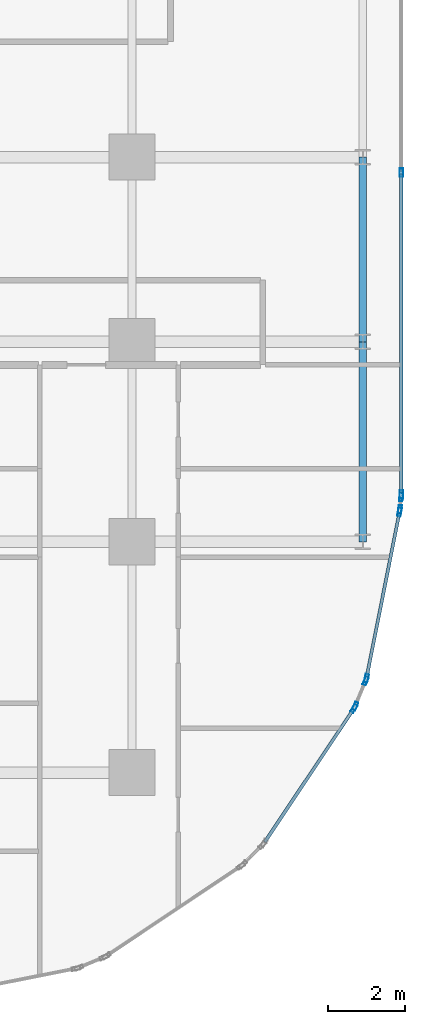
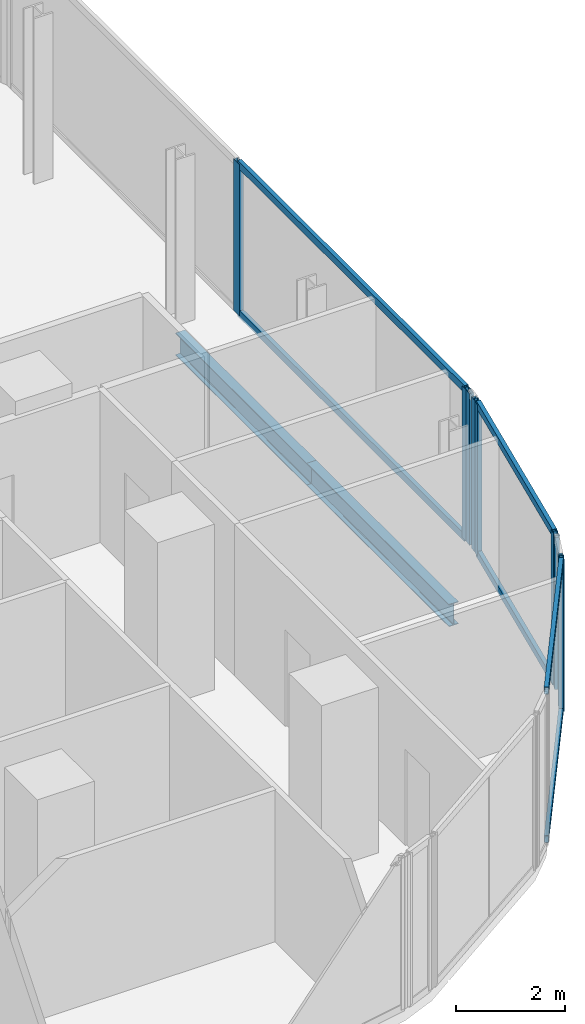
# One storey, part 18 of 33: 15 members, 2 beams, 5 elements without a shape of their own.
"""IFC4 building model written with IfcOpenShell, lengths in metres."""

from ifc_helpers import new_model, si_unit, direction, frame, origin, origin_2d, place, context, subcontext, project, spatial, hollow_rectangle, i_section, extrude, material, layer, layer_set, material_profile, profile_set, type_object, element, aggregate, save


model = new_model("IFC4")

# Units and contexts
model_context = context("Model", 3, precision=1e-05, world=origin(), true_north=direction((0.0, 1.0)))
body_context = subcontext(model_context, "Body", "Model", "MODEL_VIEW")
ifc_project = project(units=[si_unit("LENGTHUNIT", "METRE"), si_unit("AREAUNIT", "SQUARE_METRE"), si_unit("VOLUMEUNIT", "CUBIC_METRE"), si_unit("PLANEANGLEUNIT", "RADIAN"), si_unit("MASSUNIT", "GRAM", prefix="KILO")], contexts=[model_context])

# Site, building, storey
site_placement = place(None, origin())
site = spatial("IfcSite", under=ifc_project, at=site_placement, CompositionType="ELEMENT")
building_placement = place(site_placement, origin())
building = spatial("IfcBuilding", under=site, at=building_placement, Name="Keshet Zoharim Tower", CompositionType="ELEMENT")
storey_placement = place(building_placement, frame((0.0, 0.0, 73.800048828125)))
storey = spatial("IfcBuildingStorey", under=building, at=storey_placement, Name="L17", CompositionType="ELEMENT", Elevation=73.800048828125)

# Beams
ifc_material_1 = material(Name="Steel S355", Category="steel")
ifc_material_profile_1 = material_profile(ifc_material_1, i_section(OverallWidth=0.199951171875, OverallDepth=0.5, WebThickness=0.01025390625, FlangeThickness=0.01611328125, FilletRadius=0.02099609375, at=origin_2d()), Name="IPE500")
ifc_profile_set_1 = profile_set([ifc_material_profile_1], Name="Steel S355")
beam_type = type_object("IfcBeamType", Name="BM-PRI-IP500", PredefinedType="BEAM", material=ifc_profile_set_1)
beam_1_placement = place(storey_placement, frame((69.0, 12.699951171875, -0.56494140625), z_axis=(0.0, 1.0, 0.0), x_axis=(-1.0, 0.0, 0.0)))
element("IfcBeam", 1, at=beam_1_placement, inside=storey, type_object=beam_type, Name="L17 Primary Girder Y-023", PredefinedType="BEAM", context=body_context, shape_type="SweptSolid", body=[
    extrude(i_section(OverallWidth=0.199951171875, OverallDepth=0.5, WebThickness=0.01025390625, FlangeThickness=0.01611328125, FilletRadius=0.02099609375, at=origin_2d()), origin(), (0.0, 0.0, 1.0), 5.199951171875),
])
beam_2_placement = place(storey_placement, frame((69.0, 17.89990234375, -0.56494140625), z_axis=(0.0, 1.0, 0.0), x_axis=(-1.0, 0.0, 0.0)))
element("IfcBeam", 2, at=beam_2_placement, inside=storey, type_object=beam_type, Name="L17 Primary Girder Y-024", PredefinedType="BEAM", context=body_context, shape_type="SweptSolid", body=[
    extrude(i_section(OverallWidth=0.199951171875, OverallDepth=0.5, WebThickness=0.01025390625, FlangeThickness=0.01611328125, FilletRadius=0.02099609375, at=origin_2d()), origin(), (0.0, 0.0, 1.0), 4.800048828125),
])

# Curtain wall, members
ifc_material_2 = material(Name="Aluminium 6063-T6", Category="aluminium")
ifc_layer_1 = layer(ifc_material_2, 0.169921875)
ifc_layer_set_1 = layer_set([ifc_layer_1], Name="Aluminium 6063-T6")
curtain_wall_type_1 = type_object("IfcCurtainWallType", Name="CW-SYS-02", PredefinedType="NOTDEFINED", material=ifc_layer_set_1)
curtain_wall_1_placement = place(storey_placement, origin())
curtain_wall_1 = element("IfcCurtainWall", 3, at=curtain_wall_1_placement, inside=storey, type_object=curtain_wall_type_1, Name="L17 Unitised Curtain Wall 16", PredefinedType="NOTDEFINED")
ifc_material_profile_2 = material_profile(ifc_material_2, hollow_rectangle(XDim=0.090087890625, YDim=0.219970703125, WallThickness=0.0048828125, at=origin_2d()), Name="MUL-90x220")
ifc_profile_set_2 = profile_set([ifc_material_profile_2], Name="Aluminium 6063-T6")
member_type_1 = type_object("IfcMemberType", Name="CWM-M22", PredefinedType="MULLION", material=ifc_profile_set_2)
member_1_placement = place(storey_placement, frame((70.0, 22.298583984375, 0.0), z_axis=(0.0, 0.0, 1.0), x_axis=(1.0, 0.0, 0.0)))
member_1 = element("IfcMember", 4, at=member_1_placement, type_object=member_type_1, Name="CW-02 mullion 2", PredefinedType="MULLION", context=body_context, shape_type="SweptSolid", body=[
    extrude(hollow_rectangle(XDim=0.090087890625, YDim=0.219970703125, WallThickness=0.0048828125, at=origin_2d()), origin(), (0.0, 0.0, 1.0), 3.385009765625),
])
member_2_placement = place(storey_placement, frame((70.0, 13.931884765625, 0.0), z_axis=(0.0, 0.0, 1.0), x_axis=(1.0, 0.0, 0.0)))
member_2 = element("IfcMember", 5, at=member_2_placement, type_object=member_type_1, Name="CW-02 mullion 3", PredefinedType="MULLION", context=body_context, shape_type="SweptSolid", body=[
    extrude(hollow_rectangle(XDim=0.090087890625, YDim=0.219970703125, WallThickness=0.0048828125, at=origin_2d()), origin(), (0.0, 0.0, 1.0), 3.385009765625),
])

curtain_wall_2_placement = place(storey_placement, origin())
curtain_wall_2 = element("IfcCurtainWall", 6, at=curtain_wall_2_placement, inside=storey, type_object=curtain_wall_type_1, Name="L17 Unitised Curtain Wall 17", PredefinedType="NOTDEFINED")
member_3_placement = place(storey_placement, frame((69.99658203125, 13.862060546875, 0.0), z_axis=(0.0, 0.0, 1.0), x_axis=(0.995286657009, -0.096976648633, 0.0)))
member_3 = element("IfcMember", 7, at=member_3_placement, type_object=member_type_1, Name="CW-02 mullion 1", PredefinedType="MULLION", context=body_context, shape_type="SweptSolid", body=[
    extrude(hollow_rectangle(XDim=0.090087890625, YDim=0.219970703125, WallThickness=0.0048828125, at=origin_2d()), origin(), (0.0, 0.0, 1.0), 3.385009765625),
])
member_4_placement = place(storey_placement, frame((69.96533203125, 13.541748046875, 0.0), z_axis=(0.0, 0.0, 1.0), x_axis=(0.995286657009, -0.096976648633, 0.0)))
member_4 = element("IfcMember", 8, at=member_4_placement, type_object=member_type_1, Name="CW-02 mullion 2", PredefinedType="MULLION", context=body_context, shape_type="SweptSolid", body=[
    extrude(hollow_rectangle(XDim=0.090087890625, YDim=0.219970703125, WallThickness=0.0048828125, at=origin_2d()), origin(), (0.0, 0.0, 1.0), 3.385009765625),
])
aggregate(curtain_wall_2, [member_3, member_4])

curtain_wall_3_placement = place(storey_placement, origin())
curtain_wall_3 = element("IfcCurtainWall", 9, at=curtain_wall_3_placement, inside=storey, type_object=curtain_wall_type_1, Name="L17 Unitised Curtain Wall 18", PredefinedType="NOTDEFINED")
member_5_placement = place(storey_placement, frame((69.955078125, 13.47265625, 0.0), z_axis=(0.0, 0.0, 1.0), x_axis=(0.98076917357, -0.195171279072, 0.0)))
member_5 = element("IfcMember", 10, at=member_5_placement, type_object=member_type_1, Name="CW-02 mullion 1", PredefinedType="MULLION", context=body_context, shape_type="SweptSolid", body=[
    extrude(hollow_rectangle(XDim=0.090087890625, YDim=0.219970703125, WallThickness=0.0048828125, at=origin_2d()), origin(), (0.0, 0.0, 1.0), 3.385009765625),
])
member_6_placement = place(storey_placement, frame((69.0947265625, 9.1494140625, 0.0), z_axis=(0.0, 0.0, 1.0), x_axis=(0.98076917357, -0.195171279072, 0.0)))
member_6 = element("IfcMember", 11, at=member_6_placement, type_object=member_type_1, Name="CW-02 mullion 2", PredefinedType="MULLION", context=body_context, shape_type="SweptSolid", body=[
    extrude(hollow_rectangle(XDim=0.090087890625, YDim=0.219970703125, WallThickness=0.0048828125, at=origin_2d()), origin(), (0.0, 0.0, 1.0), 3.385009765625),
])

ifc_layer_2 = layer(ifc_material_2, 0.179931640625)
ifc_layer_set_2 = layer_set([ifc_layer_2], Name="Aluminium 6063-T6")
curtain_wall_type_2 = type_object("IfcCurtainWallType", Name="CW-SYS-01", PredefinedType="NOTDEFINED", material=ifc_layer_set_2)
curtain_wall_4_placement = place(storey_placement, origin())
curtain_wall_4 = element("IfcCurtainWall", 12, at=curtain_wall_4_placement, inside=storey, type_object=curtain_wall_type_2, Name="L17 Unitised Curtain Wall 19", PredefinedType="NOTDEFINED")
member_7_placement = place(storey_placement, frame((69.07470703125, 9.082763671875, 0.0), z_axis=(0.0, 0.0, 1.0), x_axis=(0.923720000557, -0.383068349739, 0.0)))
member_7 = element("IfcMember", 13, at=member_7_placement, type_object=member_type_1, Name="CW-01 mullion 1", PredefinedType="MULLION", context=body_context, shape_type="SweptSolid", body=[
    extrude(hollow_rectangle(XDim=0.090087890625, YDim=0.219970703125, WallThickness=0.0048828125, at=origin_2d()), origin(), (0.0, 0.0, 1.0), 3.385009765625),
])
member_8_placement = place(storey_placement, frame((68.802490234375, 8.42626953125, 0.0), z_axis=(0.0, 0.0, 1.0), x_axis=(0.923720000557, -0.383068349739, 0.0)))
member_8 = element("IfcMember", 14, at=member_8_placement, type_object=member_type_1, Name="CW-01 mullion 2", PredefinedType="MULLION", context=body_context, shape_type="SweptSolid", body=[
    extrude(hollow_rectangle(XDim=0.090087890625, YDim=0.219970703125, WallThickness=0.0048828125, at=origin_2d()), origin(), (0.0, 0.0, 1.0), 3.385009765625),
])
aggregate(curtain_wall_4, [member_7, member_8])

# Curtain wall, member
curtain_wall_5_placement = place(storey_placement, origin())
curtain_wall_5 = element("IfcCurtainWall", 15, at=curtain_wall_5_placement, inside=storey, type_object=curtain_wall_type_2, Name="L17 Unitised Curtain Wall 20", PredefinedType="NOTDEFINED")
member_9_placement = place(storey_placement, frame((68.76953125, 8.364990234375, 0.0), z_axis=(0.0, 0.0, 1.0), x_axis=(0.831474282335, -0.555563243758, 0.0)))
member_9 = element("IfcMember", 16, at=member_9_placement, type_object=member_type_1, Name="CW-01 mullion 1", PredefinedType="MULLION", context=body_context, shape_type="SweptSolid", body=[
    extrude(hollow_rectangle(XDim=0.090087890625, YDim=0.219970703125, WallThickness=0.0048828125, at=origin_2d()), origin(), (0.0, 0.0, 1.0), 3.385009765625),
])

# Member
ifc_material_profile_3 = material_profile(ifc_material_2, hollow_rectangle(XDim=0.0849609375, YDim=0.159912109375, WallThickness=0.00439453125, at=origin_2d()), Name="TRN-85x160")
ifc_profile_set_3 = profile_set([ifc_material_profile_3], Name="Aluminium 6063-T6")
member_type_2 = type_object("IfcMemberType", Name="CWT-T16", PredefinedType="USERDEFINED", material=ifc_profile_set_3)
member_10_placement = place(storey_placement, frame((70.0, 22.263427734375, 0.034912109375), z_axis=(0.0, -1.0, 0.0), x_axis=(1.0, 0.0, 0.0)))
member_10 = element("IfcMember", 17, at=member_10_placement, type_object=member_type_2, Name="CW-02 transom 2.1", ObjectType="TRANSOM", PredefinedType="USERDEFINED", context=body_context, shape_type="SweptSolid", body=[
    extrude(hollow_rectangle(XDim=0.0849609375, YDim=0.159912109375, WallThickness=0.00439453125, at=origin_2d()), origin(), (0.0, 0.0, 1.0), 8.29638671875),
])

member_11_placement = place(storey_placement, frame((70.0, 22.263427734375, 3.349853515625), z_axis=(0.0, -1.0, 0.0), x_axis=(1.0, 0.0, 0.0)))
member_11 = element("IfcMember", 18, at=member_11_placement, type_object=member_type_2, Name="CW-02 transom 2.2", ObjectType="TRANSOM", PredefinedType="USERDEFINED", context=body_context, shape_type="SweptSolid", body=[
    extrude(hollow_rectangle(XDim=0.0849609375, YDim=0.159912109375, WallThickness=0.00439453125, at=origin_2d()), origin(), (0.0, 0.0, 1.0), 8.29638671875),
])

aggregate(curtain_wall_1, [member_1, member_2, member_10, member_11])

member_12_placement = place(storey_placement, frame((69.9482421875, 13.438232421875, 0.034912109375), z_axis=(-0.195174459131, -0.980768540739, 0.0), x_axis=(0.980768540739, -0.195174459131, 0.0)))
member_12 = element("IfcMember", 19, at=member_12_placement, type_object=member_type_2, Name="CW-02 transom 1.1", ObjectType="TRANSOM", PredefinedType="USERDEFINED", context=body_context, shape_type="SweptSolid", body=[
    extrude(hollow_rectangle(XDim=0.0849609375, YDim=0.159912109375, WallThickness=0.00439453125, at=origin_2d()), origin(), (0.0, 0.0, 1.0), 4.338134765625),
])

member_13_placement = place(storey_placement, frame((69.9482421875, 13.438232421875, 3.349853515625), z_axis=(-0.195174459131, -0.980768540739, 0.0), x_axis=(0.980768540739, -0.195174459131, 0.0)))
member_13 = element("IfcMember", 20, at=member_13_placement, type_object=member_type_2, Name="CW-02 transom 1.2", ObjectType="TRANSOM", PredefinedType="USERDEFINED", context=body_context, shape_type="SweptSolid", body=[
    extrude(hollow_rectangle(XDim=0.0849609375, YDim=0.159912109375, WallThickness=0.00439453125, at=origin_2d()), origin(), (0.0, 0.0, 1.0), 4.338134765625),
])

aggregate(curtain_wall_3, [member_5, member_6, member_12, member_13])

member_14_placement = place(storey_placement, frame((68.75, 8.335693359375, 0.034912109375), z_axis=(-0.55555796544, -0.831477809106, 0.0), x_axis=(0.831477809106, -0.55555796544, 0.0)))
member_14 = element("IfcMember", 21, at=member_14_placement, type_object=member_type_2, Name="CW-01 transom 1.1", ObjectType="TRANSOM", PredefinedType="USERDEFINED", context=body_context, shape_type="SweptSolid", body=[
    extrude(hollow_rectangle(XDim=0.0849609375, YDim=0.159912109375, WallThickness=0.00439453125, at=origin_2d()), origin(), (0.0, 0.0, 1.0), 4.136474609375),
])

member_15_placement = place(storey_placement, frame((68.75, 8.335693359375, 3.349853515625), z_axis=(-0.55555796544, -0.831477809106, 0.0), x_axis=(0.831477809106, -0.55555796544, 0.0)))
member_15 = element("IfcMember", 22, at=member_15_placement, type_object=member_type_2, Name="CW-01 transom 1.2", ObjectType="TRANSOM", PredefinedType="USERDEFINED", context=body_context, shape_type="SweptSolid", body=[
    extrude(hollow_rectangle(XDim=0.0849609375, YDim=0.159912109375, WallThickness=0.00439453125, at=origin_2d()), origin(), (0.0, 0.0, 1.0), 4.136474609375),
])

aggregate(curtain_wall_5, [member_9, member_14, member_15])

save(model, "model.ifc")
